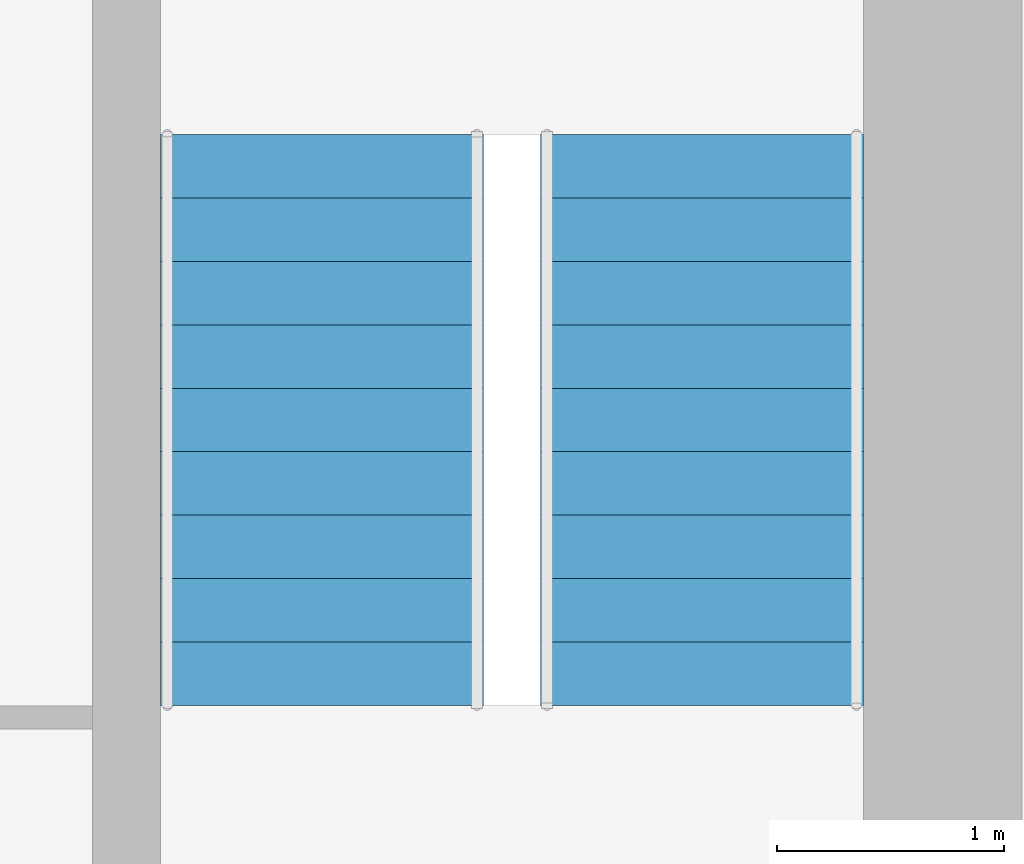
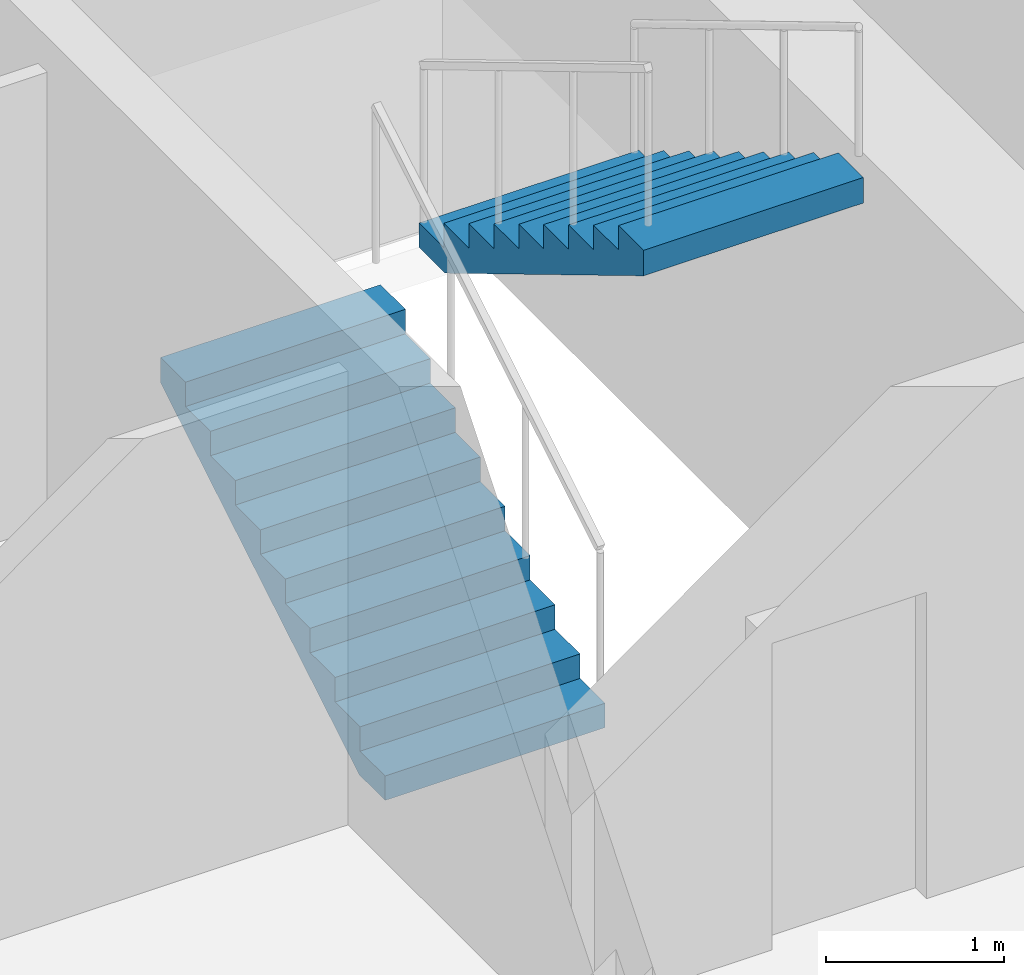
# One storey, part 22 of 23: 2 stair flights, 1 element without a shape of its own.
"""IFC4 building model written with IfcOpenShell, lengths in metres."""

from ifc_helpers import new_model, si_unit, direction, frame, origin, place, context, subcontext, project, spatial, polyline, outline, extrude, material, type_object, element, aggregate, save


model = new_model("IFC4")

# Units and contexts
model_context = context("Model", 3, precision=1e-05, world=origin(), true_north=direction((0.0, 1.0)))
body_context = subcontext(model_context, "Body", "Model", "MODEL_VIEW")
ifc_project = project(units=[si_unit("LENGTHUNIT", "METRE"), si_unit("AREAUNIT", "SQUARE_METRE"), si_unit("VOLUMEUNIT", "CUBIC_METRE"), si_unit("PLANEANGLEUNIT", "RADIAN"), si_unit("MASSUNIT", "GRAM", prefix="KILO")], contexts=[model_context])

# Site, building, storey
site_placement = place(None, origin())
site = spatial("IfcSite", under=ifc_project, at=site_placement, CompositionType="ELEMENT")
building_placement = place(site_placement, origin())
building = spatial("IfcBuilding", under=site, at=building_placement, Name="Jalousie Tower", CompositionType="ELEMENT")
storey_placement = place(building_placement, frame((0.0, 0.0, 197.89990234375)))
storey = spatial("IfcBuildingStorey", under=building, at=storey_placement, Name="L54", CompositionType="ELEMENT", Elevation=197.89990234375)

# Stair, stair flights
ifc_material_1 = material(Name="Concrete f'c 40 MPa", Category="concrete")
stair_type = type_object("IfcStairType", Name="EXIT STAIR", PredefinedType="HALF_TURN_STAIR", material=ifc_material_1)
stair_placement = place(storey_placement, origin())
stair = element("IfcStair", 1, at=stair_placement, inside=storey, type_object=stair_type, Name="Exit stair B L54", PredefinedType="HALF_TURN_STAIR")
ifc_material_2 = material(Name="Concrete f'c 40 MPa", Category="concrete")
stair_flight_type = type_object("IfcStairFlightType", Name="STAIR FLIGHT", PredefinedType="STRAIGHT", material=ifc_material_2)
stair_flight_1_placement = place(storey_placement, frame((41.0625, 21.50244140625, 0.0), z_axis=(0.0, 0.0, 1.0), x_axis=(0.0, 1.0, 0.0)))
stair_flight_1 = element("IfcStairFlight", 2, at=stair_flight_1_placement, type_object=stair_flight_type, Name="ST-B flight 1", NumberOfRisers=10, NumberOfTreads=9, PredefinedType="STRAIGHT", RiserHeight=0.1675, TreadLength=0.28, context=body_context, shape_type="SweptSolid", body=[
    extrude(outline(polyline([(0.0, 0.0), (0.0, 0.16748046875), (0.280029296875, 0.16748046875), (0.280029296875, 0.3349609375), (0.56005859375, 0.3349609375), (0.56005859375, 0.50244140625), (0.840087890625, 0.50244140625), (0.840087890625, 0.669921875), (1.1201171875, 0.669921875), (1.1201171875, 0.83740234375), (1.39990234375, 0.83740234375), (1.39990234375, 1.0048828125), (1.679931640625, 1.0048828125), (1.679931640625, 1.172607421875), (1.9599609375, 1.172607421875), (1.9599609375, 1.340087890625), (2.239990234375, 1.340087890625), (2.239990234375, 1.507568359375), (2.52001953125, 1.507568359375), (2.52001953125, 1.675048828125), (2.52001953125, 1.332763671875), (0.2919921875, 0.0), (0.0, 0.0)])), frame((0.0, 0.71240234375, 0.0), z_axis=(0.0, -1.0, 0.0), x_axis=(1.0, 0.0, 0.0)), (0.0, 0.0, 1.0), 1.425048828125),
])
stair_flight_2_placement = place(storey_placement, frame((42.737548828125, 24.0224609375, 1.675048828125), z_axis=(0.0, 0.0, 1.0), x_axis=(0.0, -1.0, 0.0)))
stair_flight_2 = element("IfcStairFlight", 3, at=stair_flight_2_placement, type_object=stair_flight_type, Name="ST-B flight 2", NumberOfRisers=10, NumberOfTreads=9, PredefinedType="STRAIGHT", RiserHeight=0.1675, TreadLength=0.28, context=body_context, shape_type="SweptSolid", body=[
    extrude(outline(polyline([(0.0, 0.0), (0.0, 0.16748046875), (0.280029296875, 0.16748046875), (0.280029296875, 0.3349609375), (0.56005859375, 0.3349609375), (0.56005859375, 0.50244140625), (0.840087890625, 0.50244140625), (0.840087890625, 0.669921875), (1.1201171875, 0.669921875), (1.1201171875, 0.83740234375), (1.39990234375, 0.83740234375), (1.39990234375, 1.0048828125), (1.679931640625, 1.0048828125), (1.679931640625, 1.172607421875), (1.9599609375, 1.172607421875), (1.9599609375, 1.340087890625), (2.239990234375, 1.340087890625), (2.239990234375, 1.507568359375), (2.52001953125, 1.507568359375), (2.52001953125, 1.675048828125), (2.52001953125, 1.332763671875), (0.2919921875, 0.0), (0.0, 0.0)])), frame((0.0, 0.71240234375, 0.0), z_axis=(0.0, -1.0, 0.0), x_axis=(1.0, 0.0, 0.0)), (0.0, 0.0, 1.0), 1.425048828125),
])
aggregate(stair, [stair_flight_1, stair_flight_2])

save(model, "model.ifc")
